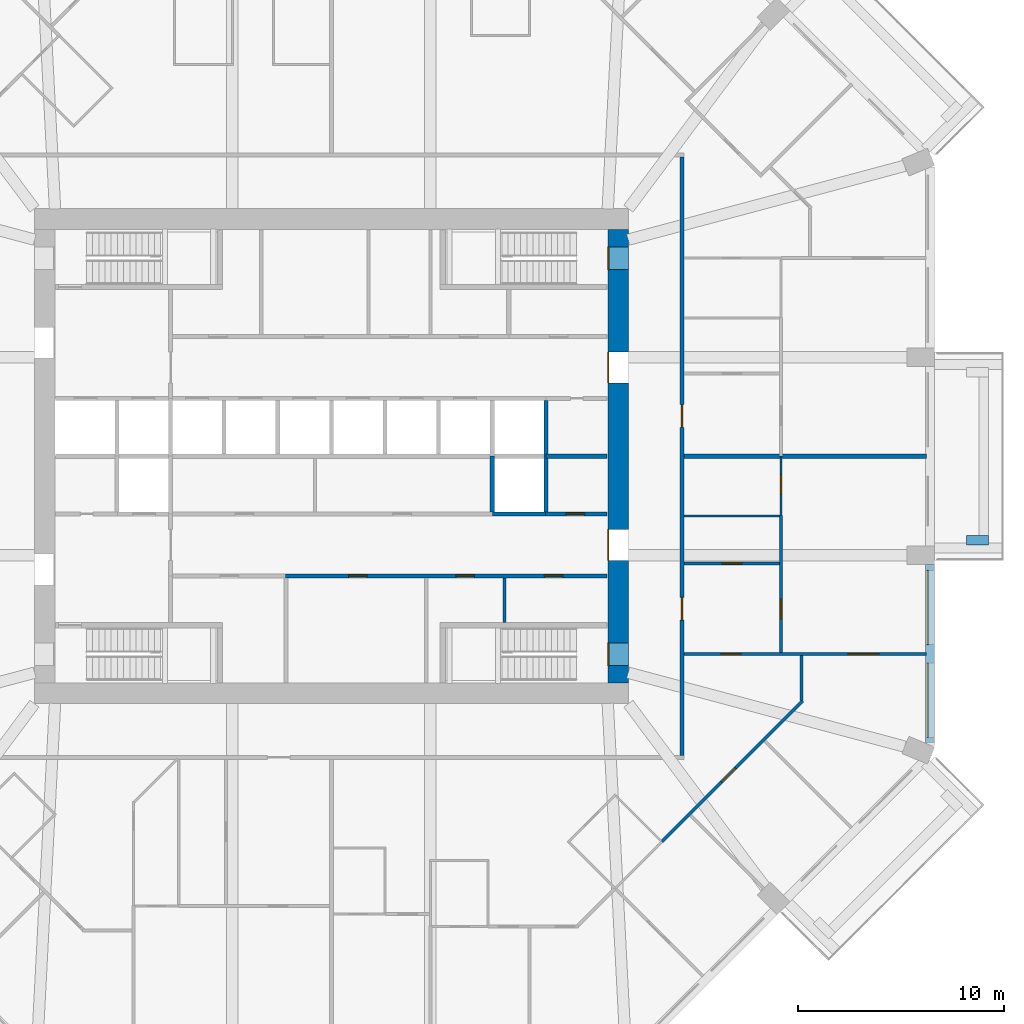
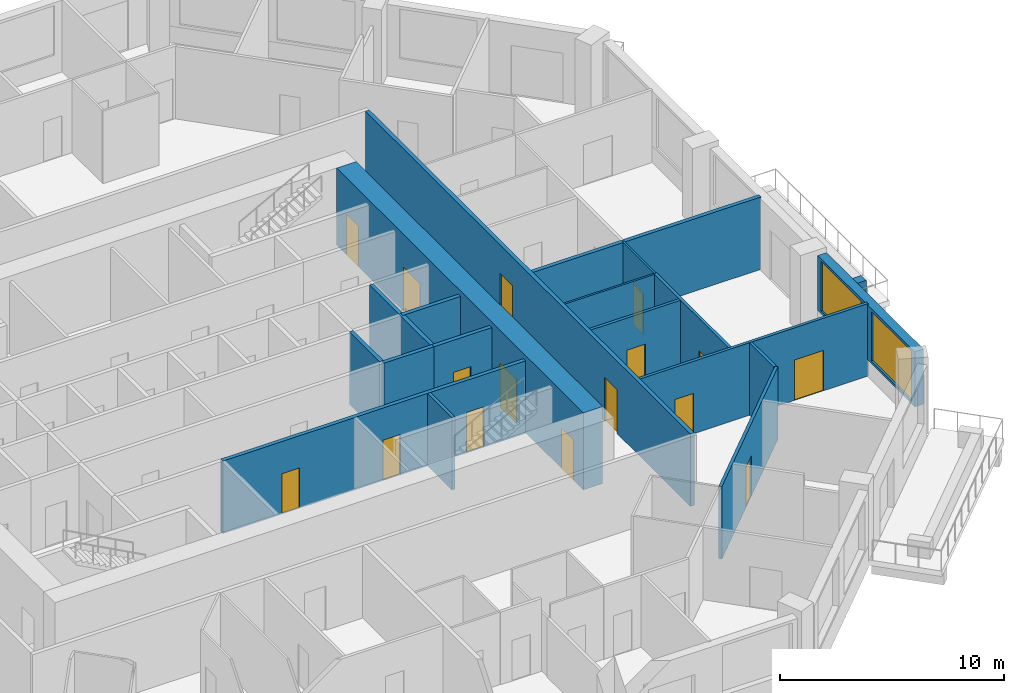
# One storey, part 6 of 13: 19 walls, 16 doors, 2 windows, 18 openings.
"""IFC4 building model written with IfcOpenShell, lengths in metres."""

import ifcopenshell
import ifcopenshell.guid

model = None  # the IFC model being written
_history = None  # IfcOwnerHistory: only IFC2X3 demands one
_inside = {}  # id of a spatial element -> (the spatial element, [elements in it])
_under = {}  # id of a project, library or spatial element -> (it, [spatial elements below it])
_declared = {}  # id of a project -> (the project, [libraries it declares])
_typed = {}  # id of a type object -> (the type object, [elements of that type])
_made_of = {}  # id of a material, layer set ... -> (it, [elements and type objects made of it])


def new_model(schema):
    """Start an empty IFC model of exactly this schema.

    Asked for "IFC4X3", IfcOpenShell would pick the latest addendum, in which some entities
    have other attributes; the version numbers below select the first issue.
    IFC2X3 requires an IfcOwnerHistory on every rooted entity: one is made here for all.
    """
    global model, _history
    if schema == "IFC4X3":
        model = ifcopenshell.file(schema_version=(4, 3, 0, 0))
    else:
        model = ifcopenshell.file(schema=schema)
    _inside.clear()
    _under.clear()
    _declared.clear()
    _typed.clear()
    _made_of.clear()
    _history = None
    if model.schema == "IFC2X3":
        org = make("IfcOrganization", Name="unknown")
        user = make(
            "IfcPersonAndOrganization",
            ThePerson=make("IfcPerson", FamilyName="unknown"),
            TheOrganization=org,
        )
        app = make(
            "IfcApplication",
            ApplicationDeveloper=org,
            Version="unknown",
            ApplicationFullName="unknown",
            ApplicationIdentifier="unknown",
        )
        _history = make(
            "IfcOwnerHistory",
            OwningUser=user,
            OwningApplication=app,
            ChangeAction="ADDED",
            CreationDate=0,
        )
    return model


def make(cls, **values):
    """One entity of the class cls with the attributes given. An attribute that is None is left unset."""
    return model.create_entity(
        cls, **{name: value for name, value in values.items() if value is not None}
    )


def rooted(cls, **values):
    """An entity with a GlobalId (a new one), such as an element, a storey or a relation."""
    return make(cls, GlobalId=ifcopenshell.guid.new(), OwnerHistory=_history, **values)


def si_unit(unit_type, name, prefix=None):
    """IfcSIUnit, for example si_unit("LENGTHUNIT", "METRE", prefix="MILLI")."""
    return make("IfcSIUnit", UnitType=unit_type, Prefix=prefix, Name=name)


def assignment(units):
    """IfcUnitAssignment: the units of a project."""
    return None if units is None else make("IfcUnitAssignment", Units=units)


def point(xyz):
    """IfcCartesianPoint."""
    return None if xyz is None else make("IfcCartesianPoint", Coordinates=xyz)


def direction(xyz):
    """IfcDirection."""
    return None if xyz is None else make("IfcDirection", DirectionRatios=xyz)


def frame(location, z_axis=None, x_axis=None):
    """IfcAxis2Placement3D, a coordinate frame: its origin and axes. An axis left out is left unset."""
    return make(
        "IfcAxis2Placement3D",
        Location=point(location),
        Axis=direction(z_axis),
        RefDirection=direction(x_axis),
    )


def frame_2d(location, x_axis=None):
    """IfcAxis2Placement2D, a coordinate frame in the plane: its origin and x axis."""
    return make(
        "IfcAxis2Placement2D", Location=point(location), RefDirection=direction(x_axis)
    )


def origin():
    """The frame at (0, 0, 0) with its axes left unset."""
    return frame((0.0, 0.0, 0.0))


def place(relative_to, where):
    """IfcLocalPlacement: puts the frame where relative to a parent placement (None: the world)."""
    return make(
        "IfcLocalPlacement", PlacementRelTo=relative_to, RelativePlacement=where
    )


def context(
    kind, dimensions, precision=None, world=None, true_north=None, identifier=None
):
    """IfcGeometricRepresentationContext, for example the 3D "Model" context."""
    return make(
        "IfcGeometricRepresentationContext",
        ContextIdentifier=identifier,
        ContextType=kind,
        CoordinateSpaceDimension=dimensions,
        Precision=precision,
        WorldCoordinateSystem=world,
        TrueNorth=true_north,
    )


def subcontext(parent, identifier, kind, view, scale=None):
    """IfcGeometricRepresentationSubContext, for example "Body" below "Model"."""
    return make(
        "IfcGeometricRepresentationSubContext",
        ContextIdentifier=identifier,
        ContextType=kind,
        ParentContext=parent,
        TargetScale=scale,
        TargetView=view,
    )


def project(units=None, contexts=None):
    """IfcProject with its units and contexts."""
    return rooted(
        "IfcProject",
        Name="project",
        RepresentationContexts=contexts,
        UnitsInContext=assignment(units),
    )


def spatial(cls, under=None, at=None, **own):
    """A site, building, storey or space (cls), placed at a placement, below another one or the project."""
    s = rooted(cls, ObjectPlacement=at, **own)
    if under is not None:
        _under.setdefault(under.id(), (under, []))[1].append(s)
    return s


def profile(cls, at=None, kind="AREA", **sizes):
    """A parametric profile (cls). Its sizes go by their IFC names, for example OverallWidth=200.0."""
    return make(cls, ProfileType=kind, Position=at, **sizes)


def rectangle(**sizes):
    """IfcRectangleProfileDef."""
    return profile("IfcRectangleProfileDef", **sizes)


def extrude(swept, where, along, depth):
    """IfcExtrudedAreaSolid: the profile swept, set in the frame where, extruded along a direction by depth."""
    return make(
        "IfcExtrudedAreaSolid",
        SweptArea=swept,
        Position=where,
        ExtrudedDirection=direction(along),
        Depth=depth,
    )


def shape(context_of_items, identifier, shape_type, items):
    """IfcShapeRepresentation: the items that make up one representation, for example the "Body"."""
    return make(
        "IfcShapeRepresentation",
        ContextOfItems=context_of_items,
        RepresentationIdentifier=identifier,
        RepresentationType=shape_type,
        Items=items,
    )


def material(Name=None, Category=None):
    """IfcMaterial."""
    return make("IfcMaterial", Name=Name, Category=Category)


def layer(
    of_material, thickness, ventilated=None, Name=None, Category=None, Priority=None
):
    """IfcMaterialLayer: one layer of a wall or slab, of a material (None: an air gap)."""
    return make(
        "IfcMaterialLayer",
        Material=of_material,
        LayerThickness=thickness,
        IsVentilated=ventilated,
        Name=Name,
        Category=Category,
        Priority=Priority,
    )


def layer_set(layers, Name=None):
    """IfcMaterialLayerSet."""
    return make("IfcMaterialLayerSet", MaterialLayers=layers, LayerSetName=Name)


def made_of(thing, what):
    """Note that an element or type object is made of a material, layer set ...; save() writes the relation."""
    if what is not None:
        _made_of.setdefault(what.id(), (what, []))[1].append(thing)
    return thing


def type_object(cls, material=None, **own):
    """A type object (cls), such as IfcWallType, which elements share."""
    return made_of(rooted(cls, **own), material)


def element(
    cls,
    number,
    at=None,
    inside=None,
    cuts=None,
    type_object=None,
    material=None,
    context=None,
    identifier="Body",
    shape_type=None,
    held_by="IfcProductDefinitionShape",
    body=None,
    shapes=None,
    **own,
):
    """One element of the class cls, such as IfcWall. Its Tag is "e" and its number.

    at: its placement. inside: the storey or other place that contains it. cuts: it is an
    opening in that element (IfcRelVoidsElement). A single representation is given by context,
    identifier, shape_type and body (its items); several are given by shapes. held_by: the class
    of the entity that holds the representations. save() writes the other relations.
    """
    e = rooted(cls, Tag="e%d" % number, ObjectPlacement=at, **own)
    if body is not None:
        shapes = [shape(context, identifier, shape_type, body)]
    if shapes is not None:
        e.Representation = make(held_by, Representations=shapes)
    if inside is not None:
        _inside.setdefault(inside.id(), (inside, []))[1].append(e)
    if cuts is not None:
        rooted(
            "IfcRelVoidsElement", RelatingBuildingElement=cuts, RelatedOpeningElement=e
        )
    if type_object is not None:
        _typed.setdefault(type_object.id(), (type_object, []))[1].append(e)
    return made_of(e, material)


def fill(opening, filler):
    """IfcRelFillsElement: the door or window that sits in an opening."""
    return rooted(
        "IfcRelFillsElement",
        RelatingOpeningElement=opening,
        RelatedBuildingElement=filler,
    )


def aggregate(whole, parts):
    """IfcRelAggregates: a whole, such as a stair, and the parts it consists of."""
    return rooted("IfcRelAggregates", RelatingObject=whole, RelatedObjects=parts)


def save(model, path):
    """Write the relations noted so far, then the file.

    IfcRelAggregates (storeys below a building ...), IfcRelContainedInSpatialStructure (elements
    in a storey), IfcRelDefinesByType, IfcRelAssociatesMaterial and IfcRelDeclares: one each for
    every whole, place, type object, material and project.
    """
    for whole, parts in _under.values():
        aggregate(whole, parts)
    for where, things in _inside.values():
        rooted(
            "IfcRelContainedInSpatialStructure",
            RelatedElements=things,
            RelatingStructure=where,
        )
    for kind, things in _typed.values():
        rooted("IfcRelDefinesByType", RelatedObjects=things, RelatingType=kind)
    for what, things in _made_of.values():
        rooted("IfcRelAssociatesMaterial", RelatedObjects=things, RelatingMaterial=what)
    for by, libraries in _declared.values():
        rooted("IfcRelDeclares", RelatingContext=by, RelatedDefinitions=libraries)
    model.write(path)


model = new_model("IFC4")

# Units and contexts
model_context = context("Model", 3, precision=1e-05, world=origin(), true_north=direction((0.0, 1.0)))
body_context = subcontext(model_context, "Body", "Model", "MODEL_VIEW")
ifc_project = project(units=[si_unit("LENGTHUNIT", "METRE"), si_unit("AREAUNIT", "SQUARE_METRE"), si_unit("VOLUMEUNIT", "CUBIC_METRE"), si_unit("PLANEANGLEUNIT", "RADIAN"), si_unit("MASSUNIT", "GRAM", prefix="KILO")], contexts=[model_context])

# Site, building, storey
site_placement = place(None, origin())
site = spatial("IfcSite", under=ifc_project, at=site_placement, CompositionType="ELEMENT")
building_placement = place(site_placement, origin())
building = spatial("IfcBuilding", under=site, at=building_placement, Name="Msitu Wima Residences", CompositionType="ELEMENT")
storey_placement = place(building_placement, frame((0.0, 0.0, 42.300048828125)))
storey = spatial("IfcBuildingStorey", under=building, at=storey_placement, Name="L09", CompositionType="ELEMENT", Elevation=42.300048828125)

# Wall
ifc_material_1 = material(Name="Facing brick")
ifc_layer_1 = layer(ifc_material_1, 0.06494140625, Name="Facing brick")
ifc_material_2 = material(Name="Concrete C40/50", Category="concrete")
ifc_layer_2 = layer(ifc_material_2, 0.156005859375, Name="Concrete C40/50")
ifc_material_3 = material(Name="Waterproofing membrane")
ifc_layer_3 = layer(ifc_material_3, 0.00390625, Name="Waterproofing membrane")
ifc_material_4 = material(Name="Planting soil and planting")
ifc_layer_4 = layer(ifc_material_4, 0.22509765625, Name="Planting soil and planting")
ifc_layer_set_1 = layer_set([ifc_layer_1, ifc_layer_2, ifc_layer_3, ifc_layer_4], Name="Concrete C40/50")
wall_type_1 = type_object("IfcWallType", Name="Balcony planter PLANTER PL450", PredefinedType="USERDEFINED", material=ifc_layer_set_1)
wall_1_placement = place(storey_placement, frame((30.800048828125, -4.074951171875, 0.0), z_axis=(0.0, 0.0, 1.0), x_axis=(1.0, 0.0, 0.0)))
element("IfcWall", 1, at=wall_1_placement, inside=storey, type_object=wall_type_1, Name="Balcony planter E1 L09", ObjectType="PLANTER", PredefinedType="USERDEFINED", context=body_context, shape_type="SweptSolid", body=[
    extrude(rectangle(XDim=1.050048828125, YDim=0.449951171875, at=frame_2d((0.52490234375, 0.0))), origin(), (0.0, 0.0, 1.0), 0.89990234375),
])

# Wall, openings, windows
ifc_material_5 = material(Name="Brick (red buff mix)", Category="masonry")
ifc_layer_5 = layer(ifc_material_5, 0.449951171875)
ifc_layer_set_2 = layer_set([ifc_layer_5], Name="Brick (red buff mix)")
wall_type_2 = type_object("IfcWallType", Name="Brick infill wall BW450", PredefinedType="SOLIDWALL", material=ifc_layer_set_2)
wall_2_placement = place(storey_placement, frame((29.02490234375, -13.912841796875, 0.89990234375), z_axis=(0.0, 0.0, 1.0), x_axis=(0.0, 1.0, 0.0)))
wall_2 = element("IfcWall", 2, at=wall_2_placement, inside=storey, type_object=wall_type_2, Name="Brick infill wall L09 E0", PredefinedType="SOLIDWALL", context=body_context, shape_type="SweptSolid", body=[
    extrude(rectangle(XDim=8.662841796875, YDim=0.449951171875, at=frame_2d((4.33154296875, 0.0))), origin(), (0.0, 0.0, 1.0), 3.0),
])
opening_1_placement = place(wall_2_placement, frame((0.281494140625, 0.0, 0.14990234375)))
opening_1 = element("IfcOpeningElement", 3, at=opening_1_placement, cuts=wall_2, Name="Opening W08-10.001", PredefinedType="OPENING", context=body_context, shape_type="SweptSolid", body=[
    extrude(rectangle(XDim=3.60009765625, YDim=2.699951171875, at=frame_2d((1.800048828125, 1.35009765625))), frame((0.0, 0.23486328125, 0.0), z_axis=(0.0, -1.0, 0.0), x_axis=(1.0, 0.0, 0.0)), (0.0, 0.0, 1.0), 0.469970703125),
])
opening_2_placement = place(wall_2_placement, frame((4.781494140625, 0.0, 0.14990234375)))
opening_2 = element("IfcOpeningElement", 4, at=opening_2_placement, cuts=wall_2, Name="Opening W08-10.002", PredefinedType="OPENING", context=body_context, shape_type="SweptSolid", body=[
    extrude(rectangle(XDim=3.60009765625, YDim=2.699951171875, at=frame_2d((1.800048828125, 1.35009765625))), frame((0.0, 0.23486328125, 0.0), z_axis=(0.0, -1.0, 0.0), x_axis=(1.0, 0.0, 0.0)), (0.0, 0.0, 1.0), 0.469970703125),
])
ifc_material_6 = material(Name="Anodised aluminium, bronze finish, clear low-emissivity double glazing", Category="aluminium")
window_type = type_object("IfcWindowType", Name="Window W3600x2700", PartitioningType="DOUBLE_PANEL_VERTICAL", PredefinedType="WINDOW", material=ifc_material_6)
window_1_placement = place(opening_1_placement, origin())
window_1 = element("IfcWindow", 5, at=window_1_placement, inside=storey, type_object=window_type, Name="Window L09 E0.1", OverallHeight=2.699951171875, OverallWidth=3.60009765625, PartitioningType="SINGLE_PANEL", PredefinedType="WINDOW", context=body_context, shape_type="SweptSolid", body=[
    extrude(rectangle(XDim=3.60009765625, YDim=2.699951171875, at=frame_2d((1.800048828125, 1.35009765625))), frame((0.0, 0.135009765625, 0.0), z_axis=(0.0, -1.0, 0.0), x_axis=(1.0, 0.0, 0.0)), (0.0, 0.0, 1.0), 0.06005859375),
])
fill(opening_1, window_1)
window_2_placement = place(opening_2_placement, origin())
window_2 = element("IfcWindow", 6, at=window_2_placement, inside=storey, type_object=window_type, Name="Window L09 E0.2", OverallHeight=2.699951171875, OverallWidth=3.60009765625, PartitioningType="SINGLE_PANEL", PredefinedType="WINDOW", context=body_context, shape_type="SweptSolid", body=[
    extrude(rectangle(XDim=3.60009765625, YDim=2.699951171875, at=frame_2d((1.800048828125, 1.35009765625))), frame((0.0, 0.135009765625, 0.0), z_axis=(0.0, -1.0, 0.0), x_axis=(1.0, 0.0, 0.0)), (0.0, 0.0, 1.0), 0.06005859375),
])
fill(opening_2, window_2)

# Wall, openings, doors
ifc_material_7 = material(Name="Concrete C80/95", Category="concrete")
ifc_layer_6 = layer(ifc_material_7, 1.0)
ifc_layer_set_3 = layer_set([ifc_layer_6], Name="Concrete C80/95")
wall_type_3 = type_object("IfcWallType", Name="Core wall CW1000 C80/95", PredefinedType="SHEAR", material=ifc_layer_set_3)
wall_3_placement = place(storey_placement, frame((13.89990234375, -11.0, 0.0), z_axis=(0.0, 0.0, 1.0), x_axis=(0.0, 1.0, 0.0)))
wall_3 = element("IfcWall", 7, at=wall_3_placement, inside=storey, type_object=wall_type_3, Name="Core wall", PredefinedType="SHEAR", context=body_context, shape_type="SweptSolid", body=[
    extrude(rectangle(XDim=22.0, YDim=1.0, at=frame_2d((11.0, 0.0))), origin(), (0.0, 0.0, 1.0), 4.199951171875),
])
opening_3_placement = place(wall_3_placement, frame((20.050048828125, 0.0, 0.0)))
opening_3 = element("IfcOpeningElement", 8, at=opening_3_placement, cuts=wall_3, Name="Opening D08-10.039", PredefinedType="OPENING", context=body_context, shape_type="SweptSolid", body=[
    extrude(rectangle(XDim=1.10009765625, YDim=2.199951171875, at=frame_2d((0.550048828125, 1.10009765625))), frame((0.0, 0.510009765625, 0.0), z_axis=(0.0, -1.0, 0.0), x_axis=(1.0, 0.0, 0.0)), (0.0, 0.0, 1.0), 1.02001953125),
])
opening_4_placement = place(wall_3_placement, frame((0.85009765625, 0.0, 0.0)))
opening_4 = element("IfcOpeningElement", 9, at=opening_4_placement, cuts=wall_3, Name="Opening D08-10.040", PredefinedType="OPENING", context=body_context, shape_type="SweptSolid", body=[
    extrude(rectangle(XDim=1.10009765625, YDim=2.199951171875, at=frame_2d((0.550048828125, 1.10009765625))), frame((0.0, 0.510009765625, 0.0), z_axis=(0.0, -1.0, 0.0), x_axis=(1.0, 0.0, 0.0)), (0.0, 0.0, 1.0), 1.02001953125),
])
opening_5_placement = place(wall_3_placement, frame((14.550048828125, 0.0, 0.0)))
opening_5 = element("IfcOpeningElement", 10, at=opening_5_placement, cuts=wall_3, Name="Opening D08-10.029", PredefinedType="OPENING", context=body_context, shape_type="SweptSolid", body=[
    extrude(rectangle(XDim=1.5, YDim=2.39990234375, at=frame_2d((0.75, 1.199951171875))), frame((0.0, 0.510009765625, 0.0), z_axis=(0.0, -1.0, 0.0), x_axis=(1.0, 0.0, 0.0)), (0.0, 0.0, 1.0), 1.02001953125),
])
opening_6_placement = place(wall_3_placement, frame((5.949951171875, 0.0, 0.0)))
opening_6 = element("IfcOpeningElement", 11, at=opening_6_placement, cuts=wall_3, Name="Opening D08-10.030", PredefinedType="OPENING", context=body_context, shape_type="SweptSolid", body=[
    extrude(rectangle(XDim=1.5, YDim=2.39990234375, at=frame_2d((0.75, 1.199951171875))), frame((0.0, 0.510009765625, 0.0), z_axis=(0.0, -1.0, 0.0), x_axis=(1.0, 0.0, 0.0)), (0.0, 0.0, 1.0), 1.02001953125),
])
ifc_material_8 = material(Name="Steel framed glazed door, fire resisting", Category="steel")
door_type_1 = type_object("IfcDoorType", Name="Lobby door D07 1500x2400", OperationType="DOUBLE_DOOR_SINGLE_SWING", PredefinedType="DOOR", material=ifc_material_8)
door_1_placement = place(opening_5_placement, origin())
door_1 = element("IfcDoor", 12, at=door_1_placement, inside=storey, type_object=door_type_1, Name="Lobby door", OperationType="DOUBLE_DOOR_SINGLE_SWING", OverallHeight=2.39990234375, OverallWidth=1.5, PredefinedType="DOOR", context=body_context, shape_type="SweptSolid", body=[
    extrude(rectangle(XDim=1.5, YDim=2.39990234375, at=frame_2d((0.75, 1.199951171875))), frame((0.0, 0.4951171875, 0.0), z_axis=(0.0, -1.0, 0.0), x_axis=(1.0, 0.0, 0.0)), (0.0, 0.0, 1.0), 0.050048828125),
])
fill(opening_5, door_1)
door_2_placement = place(opening_6_placement, origin())
door_2 = element("IfcDoor", 13, at=door_2_placement, inside=storey, type_object=door_type_1, Name="Lobby door", OperationType="DOUBLE_DOOR_SINGLE_SWING", OverallHeight=2.39990234375, OverallWidth=1.5, PredefinedType="DOOR", context=body_context, shape_type="SweptSolid", body=[
    extrude(rectangle(XDim=1.5, YDim=2.39990234375, at=frame_2d((0.75, 1.199951171875))), frame((0.0, 0.4951171875, 0.0), z_axis=(0.0, -1.0, 0.0), x_axis=(1.0, 0.0, 0.0)), (0.0, 0.0, 1.0), 0.050048828125),
])
fill(opening_6, door_2)
ifc_material_9 = material(Name="Steel door, fire resisting, panic bar", Category="steel")
door_type_2 = type_object("IfcDoorType", Name="Stair door D06 1100x2200", OperationType="SINGLE_SWING_LEFT", PredefinedType="DOOR", material=ifc_material_9)
door_3_placement = place(opening_3_placement, origin())
door_3 = element("IfcDoor", 14, at=door_3_placement, inside=storey, type_object=door_type_2, Name="Stair door", OperationType="SINGLE_SWING_LEFT", OverallHeight=2.199951171875, OverallWidth=1.10009765625, PredefinedType="DOOR", context=body_context, shape_type="SweptSolid", body=[
    extrude(rectangle(XDim=1.10009765625, YDim=2.199951171875, at=frame_2d((0.550048828125, 1.10009765625))), frame((0.0, 0.4951171875, 0.0), z_axis=(0.0, -1.0, 0.0), x_axis=(1.0, 0.0, 0.0)), (0.0, 0.0, 1.0), 0.050048828125),
])
fill(opening_3, door_3)
door_4_placement = place(opening_4_placement, origin())
door_4 = element("IfcDoor", 15, at=door_4_placement, inside=storey, type_object=door_type_2, Name="Stair door", OperationType="SINGLE_SWING_RIGHT", OverallHeight=2.199951171875, OverallWidth=1.10009765625, PredefinedType="DOOR", context=body_context, shape_type="SweptSolid", body=[
    extrude(rectangle(XDim=1.10009765625, YDim=2.199951171875, at=frame_2d((0.550048828125, 1.10009765625))), frame((0.0, 0.4951171875, 0.0), z_axis=(0.0, -1.0, 0.0), x_axis=(1.0, 0.0, 0.0)), (0.0, 0.0, 1.0), 0.050048828125),
])
fill(opening_4, door_4)

ifc_material_10 = material(Name="Plaster")
ifc_layer_7 = layer(ifc_material_10, 0.011962890625, Name="Plaster")
ifc_material_11 = material(Name="Concrete blockwork", Category="masonry")
ifc_layer_8 = layer(ifc_material_11, 0.176025390625, Name="Concrete blockwork")
ifc_layer_9 = layer(ifc_material_10, 0.011962890625, Name="Plaster")
ifc_layer_set_4 = layer_set([ifc_layer_7, ifc_layer_8, ifc_layer_9], Name="Concrete blockwork")
wall_type_4 = type_object("IfcWallType", Name="Corridor wall FW200", PredefinedType="PARTITIONING", material=ifc_layer_set_4)
wall_4_placement = place(storey_placement, frame((-2.219970703125, -5.800048828125, 0.0), z_axis=(0.0, 0.0, 1.0), x_axis=(1.0, 0.0, 0.0)))
wall_4 = element("IfcWall", 16, at=wall_4_placement, inside=storey, type_object=wall_type_4, Name="Corridor wall", PredefinedType="PARTITIONING", context=body_context, shape_type="SweptSolid", body=[
    extrude(rectangle(XDim=15.590087890625, YDim=0.199951171875, at=frame_2d((7.794921875, 0.0))), origin(), (0.0, 0.0, 1.0), 3.949951171875),
])
opening_7_placement = place(wall_4_placement, frame((3.050048828125, 0.0, 0.0)))
opening_7 = element("IfcOpeningElement", 17, at=opening_7_placement, cuts=wall_4, Name="Opening D08-10.026", PredefinedType="OPENING", context=body_context, shape_type="SweptSolid", body=[
    extrude(rectangle(XDim=0.89990234375, YDim=2.199951171875, at=frame_2d((0.449951171875, 1.10009765625))), frame((0.0, 0.10986328125, 0.0), z_axis=(0.0, -1.0, 0.0), x_axis=(1.0, 0.0, 0.0)), (0.0, 0.0, 1.0), 0.219970703125),
])
opening_8_placement = place(wall_4_placement, frame((8.25, 0.0, 0.0)))
opening_8 = element("IfcOpeningElement", 18, at=opening_8_placement, cuts=wall_4, Name="Opening D08-10.027", PredefinedType="OPENING", context=body_context, shape_type="SweptSolid", body=[
    extrude(rectangle(XDim=0.89990234375, YDim=2.199951171875, at=frame_2d((0.449951171875, 1.10009765625))), frame((0.0, 0.10986328125, 0.0), z_axis=(0.0, -1.0, 0.0), x_axis=(1.0, 0.0, 0.0)), (0.0, 0.0, 1.0), 0.219970703125),
])
opening_9_placement = place(wall_4_placement, frame((12.550048828125, 0.0, 0.0)))
opening_9 = element("IfcOpeningElement", 19, at=opening_9_placement, cuts=wall_4, Name="Opening D08-10.028", PredefinedType="OPENING", context=body_context, shape_type="SweptSolid", body=[
    extrude(rectangle(XDim=0.89990234375, YDim=2.199951171875, at=frame_2d((0.449951171875, 1.10009765625))), frame((0.0, 0.10986328125, 0.0), z_axis=(0.0, -1.0, 0.0), x_axis=(1.0, 0.0, 0.0)), (0.0, 0.0, 1.0), 0.219970703125),
])
ifc_material_12 = material(Name="Timber flush door", Category="wood")
door_type_3 = type_object("IfcDoorType", Name="Service door D05 900x2200", OperationType="SINGLE_SWING_LEFT", PredefinedType="DOOR", material=ifc_material_12)
door_5_placement = place(opening_7_placement, origin())
door_5 = element("IfcDoor", 20, at=door_5_placement, inside=storey, type_object=door_type_3, Name="Service door", OperationType="SINGLE_SWING_LEFT", OverallHeight=2.199951171875, OverallWidth=0.89990234375, PredefinedType="DOOR", context=body_context, shape_type="SweptSolid", body=[
    extrude(rectangle(XDim=0.89990234375, YDim=2.199951171875, at=frame_2d((0.449951171875, 1.10009765625))), frame((0.0, 0.02490234375, 0.0), z_axis=(0.0, -1.0, 0.0), x_axis=(1.0, 0.0, 0.0)), (0.0, 0.0, 1.0), 0.050048828125),
])
fill(opening_7, door_5)
door_6_placement = place(opening_8_placement, origin())
door_6 = element("IfcDoor", 21, at=door_6_placement, inside=storey, type_object=door_type_3, Name="Service door", OperationType="SINGLE_SWING_RIGHT", OverallHeight=2.199951171875, OverallWidth=0.89990234375, PredefinedType="DOOR", context=body_context, shape_type="SweptSolid", body=[
    extrude(rectangle(XDim=0.89990234375, YDim=2.199951171875, at=frame_2d((0.449951171875, 1.10009765625))), frame((0.0, 0.02490234375, 0.0), z_axis=(0.0, -1.0, 0.0), x_axis=(1.0, 0.0, 0.0)), (0.0, 0.0, 1.0), 0.050048828125),
])
fill(opening_8, door_6)
door_7_placement = place(opening_9_placement, origin())
door_7 = element("IfcDoor", 22, at=door_7_placement, inside=storey, type_object=door_type_3, Name="Service door", OperationType="SINGLE_SWING_RIGHT", OverallHeight=2.199951171875, OverallWidth=0.89990234375, PredefinedType="DOOR", context=body_context, shape_type="SweptSolid", body=[
    extrude(rectangle(XDim=0.89990234375, YDim=2.199951171875, at=frame_2d((0.449951171875, 1.10009765625))), frame((0.0, 0.02490234375, 0.0), z_axis=(0.0, -1.0, 0.0), x_axis=(1.0, 0.0, 0.0)), (0.0, 0.0, 1.0), 0.050048828125),
])
fill(opening_9, door_7)

wall_5_placement = place(storey_placement, frame((17.0, -14.5, 0.0), z_axis=(0.0, 0.0, 1.0), x_axis=(0.0, 1.0, 0.0)))
wall_5 = element("IfcWall", 23, at=wall_5_placement, inside=storey, type_object=wall_type_4, Name="Corridor wall", PredefinedType="PARTITIONING", context=body_context, shape_type="SweptSolid", body=[
    extrude(rectangle(XDim=29.0, YDim=0.199951171875, at=frame_2d((14.5, 0.0))), origin(), (0.0, 0.0, 1.0), 3.949951171875),
])
opening_10_placement = place(wall_5_placement, frame((15.89990234375, 0.0, 0.0)))
opening_10 = element("IfcOpeningElement", 24, at=opening_10_placement, cuts=wall_5, Name="Opening D08-10.011", PredefinedType="OPENING", context=body_context, shape_type="SweptSolid", body=[
    extrude(rectangle(XDim=1.10009765625, YDim=2.39990234375, at=frame_2d((0.550048828125, 1.199951171875))), frame((0.0, 0.10986328125, 0.0), z_axis=(0.0, -1.0, 0.0), x_axis=(1.0, 0.0, 0.0)), (0.0, 0.0, 1.0), 0.219970703125),
])
opening_11_placement = place(wall_5_placement, frame((6.550048828125, 0.0, 0.0)))
opening_11 = element("IfcOpeningElement", 25, at=opening_11_placement, cuts=wall_5, Name="Opening D08-10.014", PredefinedType="OPENING", context=body_context, shape_type="SweptSolid", body=[
    extrude(rectangle(XDim=1.10009765625, YDim=2.39990234375, at=frame_2d((0.550048828125, 1.199951171875))), frame((0.0, 0.10986328125, 0.0), z_axis=(0.0, -1.0, 0.0), x_axis=(1.0, 0.0, 0.0)), (0.0, 0.0, 1.0), 0.219970703125),
])
ifc_material_13 = material(Name="Timber flush door, fire resisting, self-closing", Category="wood")
door_type_4 = type_object("IfcDoorType", Name="Flat entrance door D01 1100x2400", OperationType="SINGLE_SWING_LEFT", PredefinedType="DOOR", material=ifc_material_13)
door_8_placement = place(opening_10_placement, origin())
door_8 = element("IfcDoor", 26, at=door_8_placement, inside=storey, type_object=door_type_4, Name="Flat entrance door", OperationType="SINGLE_SWING_RIGHT", OverallHeight=2.39990234375, OverallWidth=1.10009765625, PredefinedType="DOOR", context=body_context, shape_type="SweptSolid", body=[
    extrude(rectangle(XDim=1.10009765625, YDim=2.39990234375, at=frame_2d((0.550048828125, 1.199951171875))), frame((0.0, 0.02490234375, 0.0), z_axis=(0.0, -1.0, 0.0), x_axis=(1.0, 0.0, 0.0)), (0.0, 0.0, 1.0), 0.050048828125),
])
fill(opening_10, door_8)
door_9_placement = place(opening_11_placement, origin())
door_9 = element("IfcDoor", 27, at=door_9_placement, inside=storey, type_object=door_type_4, Name="Flat entrance door", OperationType="SINGLE_SWING_RIGHT", OverallHeight=2.39990234375, OverallWidth=1.10009765625, PredefinedType="DOOR", context=body_context, shape_type="SweptSolid", body=[
    extrude(rectangle(XDim=1.10009765625, YDim=2.39990234375, at=frame_2d((0.550048828125, 1.199951171875))), frame((0.0, 0.02490234375, 0.0), z_axis=(0.0, -1.0, 0.0), x_axis=(1.0, 0.0, 0.0)), (0.0, 0.0, 1.0), 0.050048828125),
])
fill(opening_11, door_9)

# Wall
ifc_layer_10 = layer(ifc_material_10, 0.011962890625, Name="Plaster")
ifc_layer_11 = layer(ifc_material_11, 0.1259765625, Name="Concrete blockwork")
ifc_layer_12 = layer(ifc_material_10, 0.011962890625, Name="Plaster")
ifc_layer_set_5 = layer_set([ifc_layer_10, ifc_layer_11, ifc_layer_12], Name="Concrete blockwork")
wall_type_5 = type_object("IfcWallType", Name="Partition PW150", PredefinedType="PARTITIONING", material=ifc_layer_set_5)
wall_6_placement = place(storey_placement, frame((8.39990234375, -8.074951171875, 0.0), z_axis=(0.0, 0.0, 1.0), x_axis=(0.0, 1.0, 0.0)))
element("IfcWall", 28, at=wall_6_placement, inside=storey, type_object=wall_type_5, Name="Partition", PredefinedType="PARTITIONING", context=body_context, shape_type="SweptSolid", body=[
    extrude(rectangle(XDim=2.175048828125, YDim=0.14990234375, at=frame_2d((1.08740234375, 0.0))), origin(), (0.0, 0.0, 1.0), 3.949951171875),
])

# Wall, opening, door
wall_7_placement = place(storey_placement, frame((16.02001953125, -18.694580078125, 0.0), z_axis=(0.0, 0.0, 1.0), x_axis=(0.707106781187, 0.707106781187, 0.0)))
wall_7 = element("IfcWall", 29, at=wall_7_placement, inside=storey, type_object=wall_type_5, Name="Partition", PredefinedType="PARTITIONING", context=body_context, shape_type="SweptSolid", body=[
    extrude(rectangle(XDim=9.663330078125, YDim=0.14990234375, at=frame_2d((4.83154296875, 0.0))), origin(), (0.0, 0.0, 1.0), 3.949951171875),
])
opening_12_placement = place(wall_7_placement, frame((4.10009765625, 0.0, 0.0)))
opening_12 = element("IfcOpeningElement", 30, at=opening_12_placement, cuts=wall_7, Name="Opening D08-10.072", PredefinedType="OPENING", context=body_context, shape_type="SweptSolid", body=[
    extrude(rectangle(XDim=0.949951171875, YDim=2.199951171875, at=frame_2d((0.47509765625, 1.10009765625))), frame((0.0, 0.0849609375, 0.0), z_axis=(0.0, -1.0, 0.0), x_axis=(1.0, 0.0, 0.0)), (0.0, 0.0, 1.0), 0.169921875),
])
door_type_5 = type_object("IfcDoorType", Name="Room door D12 950x2200", OperationType="SINGLE_SWING_LEFT", PredefinedType="DOOR", material=ifc_material_12)
door_10_placement = place(opening_12_placement, origin())
door_10 = element("IfcDoor", 31, at=door_10_placement, inside=storey, type_object=door_type_5, Name="Room door", OperationType="SINGLE_SWING_LEFT", OverallHeight=2.199951171875, OverallWidth=0.949951171875, PredefinedType="DOOR", context=body_context, shape_type="SweptSolid", body=[
    extrude(rectangle(XDim=0.949951171875, YDim=2.199951171875, at=frame_2d((0.47509765625, 1.10009765625))), frame((0.0, 0.02490234375, 0.0), z_axis=(0.0, -1.0, 0.0), x_axis=(1.0, 0.0, 0.0)), (0.0, 0.0, 1.0), 0.050048828125),
])
fill(opening_12, door_10)

# Wall, openings, doors
wall_8_placement = place(storey_placement, frame((17.10009765625, -9.60009765625, 0.0), z_axis=(0.0, 0.0, 1.0), x_axis=(1.0, 0.0, 0.0)))
wall_8 = element("IfcWall", 32, at=wall_8_placement, inside=storey, type_object=wall_type_5, Name="Partition", PredefinedType="PARTITIONING", context=body_context, shape_type="SweptSolid", body=[
    extrude(rectangle(XDim=11.7548828125, YDim=0.14990234375, at=frame_2d((5.87744140625, 0.0))), origin(), (0.0, 0.0, 1.0), 3.949951171875),
])
opening_13_placement = place(wall_8_placement, frame((1.800048828125, 0.0, 0.0)))
opening_13 = element("IfcOpeningElement", 33, at=opening_13_placement, cuts=wall_8, Name="Opening D08-10.071", PredefinedType="OPENING", context=body_context, shape_type="SweptSolid", body=[
    extrude(rectangle(XDim=0.949951171875, YDim=2.199951171875, at=frame_2d((0.47509765625, 1.10009765625))), frame((0.0, 0.0849609375, 0.0), z_axis=(0.0, -1.0, 0.0), x_axis=(1.0, 0.0, 0.0)), (0.0, 0.0, 1.0), 0.169921875),
])
opening_14_placement = place(wall_8_placement, frame((7.949951171875, 0.0, 0.0)))
opening_14 = element("IfcOpeningElement", 34, at=opening_14_placement, cuts=wall_8, Name="Opening D08-10.080", PredefinedType="OPENING", context=body_context, shape_type="SweptSolid", body=[
    extrude(rectangle(XDim=1.5, YDim=2.199951171875, at=frame_2d((0.75, 1.10009765625))), frame((0.0, 0.0849609375, 0.0), z_axis=(0.0, -1.0, 0.0), x_axis=(1.0, 0.0, 0.0)), (0.0, 0.0, 1.0), 0.169921875),
])
ifc_material_14 = material(Name="Timber double door", Category="wood")
door_type_6 = type_object("IfcDoorType", Name="Double door D04 1500x2200", OperationType="DOUBLE_DOOR_SINGLE_SWING", PredefinedType="DOOR", material=ifc_material_14)
door_11_placement = place(opening_14_placement, origin())
door_11 = element("IfcDoor", 35, at=door_11_placement, inside=storey, type_object=door_type_6, Name="Double door", OperationType="DOUBLE_DOOR_SINGLE_SWING", OverallHeight=2.199951171875, OverallWidth=1.5, PredefinedType="DOOR", context=body_context, shape_type="SweptSolid", body=[
    extrude(rectangle(XDim=1.5, YDim=2.199951171875, at=frame_2d((0.75, 1.10009765625))), frame((0.0, 0.02490234375, 0.0), z_axis=(0.0, -1.0, 0.0), x_axis=(1.0, 0.0, 0.0)), (0.0, 0.0, 1.0), 0.050048828125),
])
fill(opening_14, door_11)
door_12_placement = place(opening_13_placement, origin())
door_12 = element("IfcDoor", 36, at=door_12_placement, inside=storey, type_object=door_type_5, Name="Room door", OperationType="SINGLE_SWING_RIGHT", OverallHeight=2.199951171875, OverallWidth=0.949951171875, PredefinedType="DOOR", context=body_context, shape_type="SweptSolid", body=[
    extrude(rectangle(XDim=0.949951171875, YDim=2.199951171875, at=frame_2d((0.47509765625, 1.10009765625))), frame((0.0, 0.02490234375, 0.0), z_axis=(0.0, -1.0, 0.0), x_axis=(1.0, 0.0, 0.0)), (0.0, 0.0, 1.0), 0.050048828125),
])
fill(opening_13, door_12)

# Wall, opening, door
wall_9_placement = place(storey_placement, frame((17.10009765625, -5.199951171875, 0.0), z_axis=(0.0, 0.0, 1.0), x_axis=(1.0, 0.0, 0.0)))
wall_9 = element("IfcWall", 37, at=wall_9_placement, inside=storey, type_object=wall_type_5, Name="Partition", PredefinedType="PARTITIONING", context=body_context, shape_type="SweptSolid", body=[
    extrude(rectangle(XDim=4.625, YDim=0.14990234375, at=frame_2d((2.3125, 0.0))), origin(), (0.0, 0.0, 1.0), 3.949951171875),
])
opening_15_placement = place(wall_9_placement, frame((1.85009765625, 0.0, 0.0)))
opening_15 = element("IfcOpeningElement", 38, at=opening_15_placement, cuts=wall_9, Name="Opening D08-10.077", PredefinedType="OPENING", context=body_context, shape_type="SweptSolid", body=[
    extrude(rectangle(XDim=0.949951171875, YDim=2.199951171875, at=frame_2d((0.47509765625, 1.10009765625))), frame((0.0, 0.0849609375, 0.0), z_axis=(0.0, -1.0, 0.0), x_axis=(1.0, 0.0, 0.0)), (0.0, 0.0, 1.0), 0.169921875),
])
door_13_placement = place(opening_15_placement, origin())
door_13 = element("IfcDoor", 39, at=door_13_placement, inside=storey, type_object=door_type_5, Name="Room door", OperationType="SINGLE_SWING_RIGHT", OverallHeight=2.199951171875, OverallWidth=0.949951171875, PredefinedType="DOOR", context=body_context, shape_type="SweptSolid", body=[
    extrude(rectangle(XDim=0.949951171875, YDim=2.199951171875, at=frame_2d((0.47509765625, 1.10009765625))), frame((0.0, 0.02490234375, 0.0), z_axis=(0.0, -1.0, 0.0), x_axis=(1.0, 0.0, 0.0)), (0.0, 0.0, 1.0), 0.050048828125),
])
fill(opening_15, door_13)

wall_10_placement = place(storey_placement, frame((21.800048828125, -9.52490234375, 0.0), z_axis=(0.0, 0.0, 1.0), x_axis=(0.0, 1.0, 0.0)))
wall_10 = element("IfcWall", 40, at=wall_10_placement, inside=storey, type_object=wall_type_5, Name="Partition", PredefinedType="PARTITIONING", context=body_context, shape_type="SweptSolid", body=[
    extrude(rectangle(XDim=6.64501953125, YDim=0.14990234375, at=frame_2d((3.322509765625, 0.0))), origin(), (0.0, 0.0, 1.0), 3.949951171875),
])
opening_16_placement = place(wall_10_placement, frame((1.64990234375, 0.0, 0.0)))
opening_16 = element("IfcOpeningElement", 41, at=opening_16_placement, cuts=wall_10, Name="Opening D08-10.073", PredefinedType="OPENING", context=body_context, shape_type="SweptSolid", body=[
    extrude(rectangle(XDim=0.949951171875, YDim=2.199951171875, at=frame_2d((0.47509765625, 1.10009765625))), frame((0.0, 0.0849609375, 0.0), z_axis=(0.0, -1.0, 0.0), x_axis=(1.0, 0.0, 0.0)), (0.0, 0.0, 1.0), 0.169921875),
])
door_14_placement = place(opening_16_placement, origin())
door_14 = element("IfcDoor", 42, at=door_14_placement, inside=storey, type_object=door_type_5, Name="Room door", OperationType="SINGLE_SWING_RIGHT", OverallHeight=2.199951171875, OverallWidth=0.949951171875, PredefinedType="DOOR", context=body_context, shape_type="SweptSolid", body=[
    extrude(rectangle(XDim=0.949951171875, YDim=2.199951171875, at=frame_2d((0.47509765625, 1.10009765625))), frame((0.0, 0.02490234375, 0.0), z_axis=(0.0, -1.0, 0.0), x_axis=(1.0, 0.0, 0.0)), (0.0, 0.0, 1.0), 0.050048828125),
])
fill(opening_16, door_14)

# Walls
wall_11_placement = place(storey_placement, frame((22.800048828125, -11.839599609375, 0.0), z_axis=(0.0, 0.0, 1.0), x_axis=(0.0, 1.0, 0.0)))
element("IfcWall", 43, at=wall_11_placement, inside=storey, type_object=wall_type_5, Name="Partition", PredefinedType="PARTITIONING", context=body_context, shape_type="SweptSolid", body=[
    extrude(rectangle(XDim=2.16455078125, YDim=0.14990234375, at=frame_2d((1.082275390625, 0.0))), origin(), (0.0, 0.0, 1.0), 3.949951171875),
])
ifc_layer_13 = layer(ifc_material_10, 0.011962890625, Name="Plaster")
ifc_material_15 = material(Name="Dense concrete blockwork", Category="masonry")
ifc_layer_14 = layer(ifc_material_15, 0.176025390625, Name="Dense concrete blockwork")
ifc_layer_15 = layer(ifc_material_10, 0.011962890625, Name="Plaster")
ifc_layer_set_6 = layer_set([ifc_layer_13, ifc_layer_14, ifc_layer_15], Name="Dense concrete blockwork")
wall_type_6 = type_object("IfcWallType", Name="Party wall PW200", PredefinedType="PARTITIONING", material=ifc_layer_set_6)
wall_12_placement = place(storey_placement, frame((17.10009765625, 0.0, 0.0), z_axis=(0.0, 0.0, 1.0), x_axis=(1.0, 0.0, 0.0)))
element("IfcWall", 44, at=wall_12_placement, inside=storey, type_object=wall_type_6, Name="Party wall", PredefinedType="PARTITIONING", context=body_context, shape_type="SweptSolid", body=[
    extrude(rectangle(XDim=11.7548828125, YDim=0.199951171875, at=frame_2d((5.87744140625, 0.0))), origin(), (0.0, 0.0, 1.0), 3.949951171875),
])

# Wall, opening, door
ifc_layer_16 = layer(ifc_material_10, 0.011962890625, Name="Plaster")
ifc_material_16 = material(Name="Reinforced concrete blockwork", Category="masonry")
ifc_layer_17 = layer(ifc_material_16, 0.176025390625, Name="Reinforced concrete blockwork")
ifc_layer_18 = layer(ifc_material_10, 0.011962890625, Name="Plaster")
ifc_layer_set_7 = layer_set([ifc_layer_16, ifc_layer_17, ifc_layer_18], Name="Reinforced concrete blockwork")
wall_type_7 = type_object("IfcWallType", Name="Plant and riser wall PL200", PredefinedType="PARTITIONING", material=ifc_layer_set_7)
wall_13_placement = place(storey_placement, frame((10.3798828125, -2.800048828125, 0.0), z_axis=(0.0, 0.0, 1.0), x_axis=(1.0, 0.0, 0.0)))
wall_13 = element("IfcWall", 45, at=wall_13_placement, inside=storey, type_object=wall_type_7, Name="Plant and riser wall", PredefinedType="PARTITIONING", context=body_context, shape_type="SweptSolid", body=[
    extrude(rectangle(XDim=2.990234375, YDim=0.199951171875, at=frame_2d((1.4951171875, 0.0))), origin(), (0.0, 0.0, 1.0), 3.949951171875),
])
opening_17_placement = place(wall_13_placement, frame((1.0, 0.0, 0.0)))
opening_17 = element("IfcOpeningElement", 46, at=opening_17_placement, cuts=wall_13, Name="Opening D08-10.015", PredefinedType="OPENING", context=body_context, shape_type="SweptSolid", body=[
    extrude(rectangle(XDim=0.89990234375, YDim=2.199951171875, at=frame_2d((0.449951171875, 1.10009765625))), frame((0.0, 0.10986328125, 0.0), z_axis=(0.0, -1.0, 0.0), x_axis=(1.0, 0.0, 0.0)), (0.0, 0.0, 1.0), 0.219970703125),
])
door_15_placement = place(opening_17_placement, origin())
door_15 = element("IfcDoor", 47, at=door_15_placement, inside=storey, type_object=door_type_3, Name="Service door", OperationType="SINGLE_SWING_LEFT", OverallHeight=2.199951171875, OverallWidth=0.89990234375, PredefinedType="DOOR", context=body_context, shape_type="SweptSolid", body=[
    extrude(rectangle(XDim=0.89990234375, YDim=2.199951171875, at=frame_2d((0.449951171875, 1.10009765625))), frame((0.0, 0.02490234375, 0.0), z_axis=(0.0, -1.0, 0.0), x_axis=(1.0, 0.0, 0.0)), (0.0, 0.0, 1.0), 0.050048828125),
])
fill(opening_17, door_15)

# Walls
wall_14_placement = place(storey_placement, frame((10.39990234375, 0.0, 0.0), z_axis=(0.0, 0.0, 1.0), x_axis=(1.0, 0.0, 0.0)))
element("IfcWall", 48, at=wall_14_placement, inside=storey, type_object=wall_type_7, Name="Plant and riser wall", PredefinedType="PARTITIONING", context=body_context, shape_type="SweptSolid", body=[
    extrude(rectangle(XDim=2.97021484375, YDim=0.199951171875, at=frame_2d((1.485107421875, 0.0))), origin(), (0.0, 0.0, 1.0), 3.949951171875),
])
ifc_material_17 = material(Name="Fire-rated board")
ifc_layer_19 = layer(ifc_material_17, 0.02490234375, Name="Fire-rated board")
ifc_material_18 = material(Name="Light-gauge stud framing with mineral wool")
ifc_layer_20 = layer(ifc_material_18, 0.14990234375, Name="Light-gauge stud framing with mineral wool")
ifc_layer_21 = layer(ifc_material_17, 0.02490234375, Name="Fire-rated board")
ifc_layer_set_8 = layer_set([ifc_layer_19, ifc_layer_20, ifc_layer_21], Name="Light-gauge stud framing with mineral wool")
wall_type_8 = type_object("IfcWallType", Name="Shaft wall SH200", PredefinedType="PARTITIONING", material=ifc_layer_set_8)
wall_15_placement = place(storey_placement, frame((7.800048828125, -2.699951171875, 0.0), z_axis=(0.0, 0.0, 1.0), x_axis=(0.0, 1.0, 0.0)))
element("IfcWall", 49, at=wall_15_placement, inside=storey, type_object=wall_type_8, Name="Shaft wall", PredefinedType="PARTITIONING", context=body_context, shape_type="SweptSolid", body=[
    extrude(rectangle(XDim=2.699951171875, YDim=0.199951171875, at=frame_2d((1.35009765625, 0.0))), origin(), (0.0, 0.0, 1.0), 3.949951171875),
])
wall_16_placement = place(storey_placement, frame((7.820068359375, -2.800048828125, 0.0), z_axis=(0.0, 0.0, 1.0), x_axis=(1.0, 0.0, 0.0)))
element("IfcWall", 50, at=wall_16_placement, inside=storey, type_object=wall_type_8, Name="Shaft wall", PredefinedType="PARTITIONING", context=body_context, shape_type="SweptSolid", body=[
    extrude(rectangle(XDim=2.559814453125, YDim=0.199951171875, at=frame_2d((1.27978515625, 0.0))), origin(), (0.0, 0.0, 1.0), 3.949951171875),
])
wall_17_placement = place(storey_placement, frame((10.39990234375, -2.699951171875, 0.0), z_axis=(0.0, 0.0, 1.0), x_axis=(0.0, 1.0, 0.0)))
element("IfcWall", 51, at=wall_17_placement, inside=storey, type_object=wall_type_8, Name="Shaft wall", PredefinedType="PARTITIONING", context=body_context, shape_type="SweptSolid", body=[
    extrude(rectangle(XDim=5.39990234375, YDim=0.199951171875, at=frame_2d((2.699951171875, 0.0))), origin(), (0.0, 0.0, 1.0), 3.949951171875),
])
ifc_material_19 = material(Name="Ceramic tiles")
ifc_layer_22 = layer(ifc_material_19, 0.008056640625, Name="Ceramic tiles")
ifc_material_20 = material(Name="Moisture-resistant board")
ifc_layer_23 = layer(ifc_material_20, 0.012451171875, Name="Moisture-resistant board")
ifc_layer_24 = layer(ifc_material_18, 0.06689453125, Name="Light-gauge stud framing with mineral wool")
ifc_layer_25 = layer(ifc_material_20, 0.012451171875, Name="Moisture-resistant board")
ifc_layer_set_9 = layer_set([ifc_layer_22, ifc_layer_23, ifc_layer_24, ifc_layer_25], Name="Light-gauge stud framing with mineral wool")
wall_type_9 = type_object("IfcWallType", Name="Wet wall PW100", PredefinedType="PARTITIONING", material=ifc_layer_set_9)
wall_18_placement = place(storey_placement, frame((17.10009765625, -2.89990234375, 0.0), z_axis=(0.0, 0.0, 1.0), x_axis=(1.0, 0.0, 0.0)))
element("IfcWall", 52, at=wall_18_placement, inside=storey, type_object=wall_type_9, Name="Wet wall", PredefinedType="PARTITIONING", context=body_context, shape_type="SweptSolid", body=[
    extrude(rectangle(XDim=4.625, YDim=0.10009765625, at=frame_2d((2.3125, 0.0))), origin(), (0.0, 0.0, 1.0), 3.949951171875),
])

# Wall, opening, door
wall_19_placement = place(storey_placement, frame((21.800048828125, -2.8798828125, 0.0), z_axis=(0.0, 0.0, 1.0), x_axis=(0.0, 1.0, 0.0)))
wall_19 = element("IfcWall", 53, at=wall_19_placement, inside=storey, type_object=wall_type_9, Name="Wet wall", PredefinedType="PARTITIONING", context=body_context, shape_type="SweptSolid", body=[
    extrude(rectangle(XDim=2.8798828125, YDim=0.10009765625, at=frame_2d((1.43994140625, 0.0))), origin(), (0.0, 0.0, 1.0), 3.949951171875),
])
opening_18_placement = place(wall_19_placement, frame((1.050048828125, 0.0, 0.0)))
opening_18 = element("IfcOpeningElement", 54, at=opening_18_placement, cuts=wall_19, Name="Opening D08-10.084", PredefinedType="OPENING", context=body_context, shape_type="SweptSolid", body=[
    extrude(rectangle(XDim=0.89990234375, YDim=2.199951171875, at=frame_2d((0.449951171875, 1.10009765625))), frame((0.0, 0.06005859375, 0.0), z_axis=(0.0, -1.0, 0.0), x_axis=(1.0, 0.0, 0.0)), (0.0, 0.0, 1.0), 0.1201171875),
])
ifc_material_21 = material(Name="Timber flush door, moisture resistant", Category="wood")
door_type_7 = type_object("IfcDoorType", Name="Bathroom door D03 900x2200", OperationType="SINGLE_SWING_LEFT", PredefinedType="DOOR", material=ifc_material_21)
door_16_placement = place(opening_18_placement, origin())
door_16 = element("IfcDoor", 55, at=door_16_placement, inside=storey, type_object=door_type_7, Name="Bathroom door", OperationType="SINGLE_SWING_RIGHT", OverallHeight=2.199951171875, OverallWidth=0.89990234375, PredefinedType="DOOR", context=body_context, shape_type="SweptSolid", body=[
    extrude(rectangle(XDim=0.89990234375, YDim=2.199951171875, at=frame_2d((0.449951171875, 1.10009765625))), frame((0.0, 0.02490234375, 0.0), z_axis=(0.0, -1.0, 0.0), x_axis=(1.0, 0.0, 0.0)), (0.0, 0.0, 1.0), 0.050048828125),
])
fill(opening_18, door_16)

save(model, "model.ifc")
